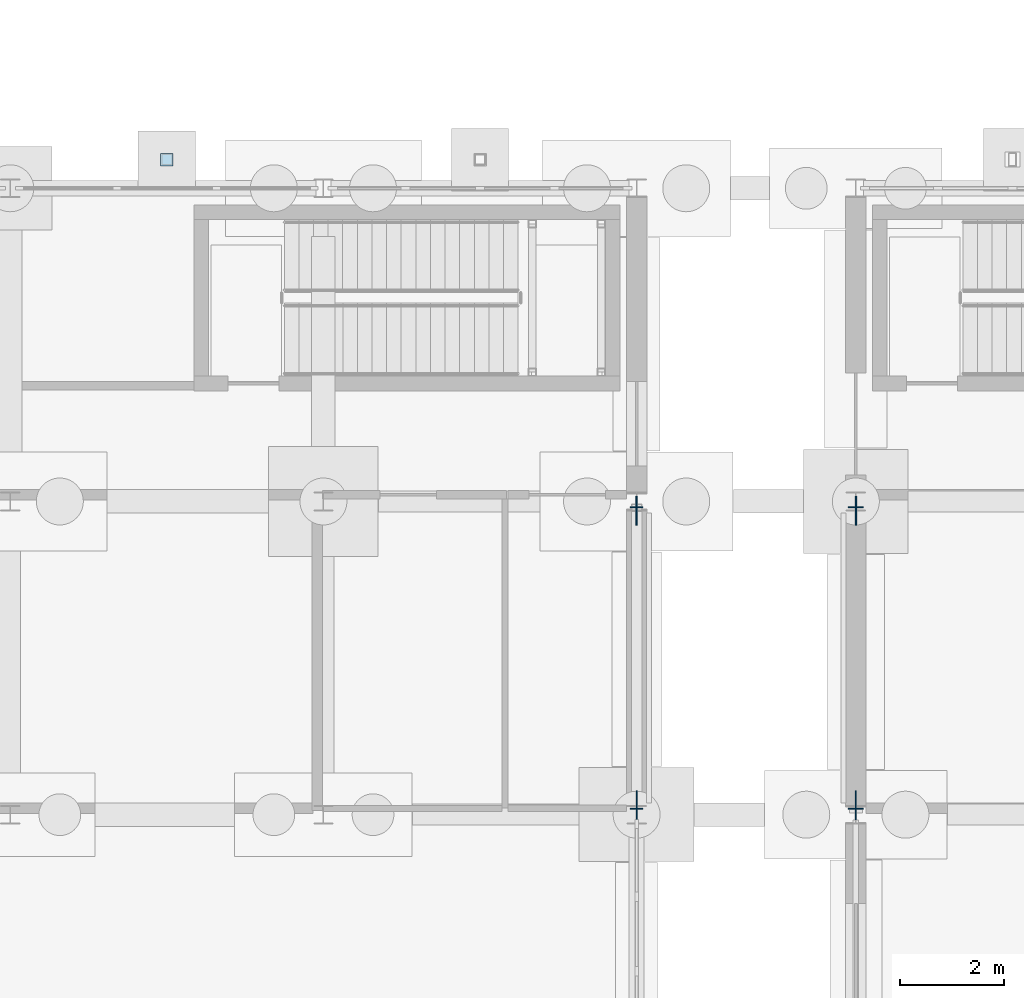
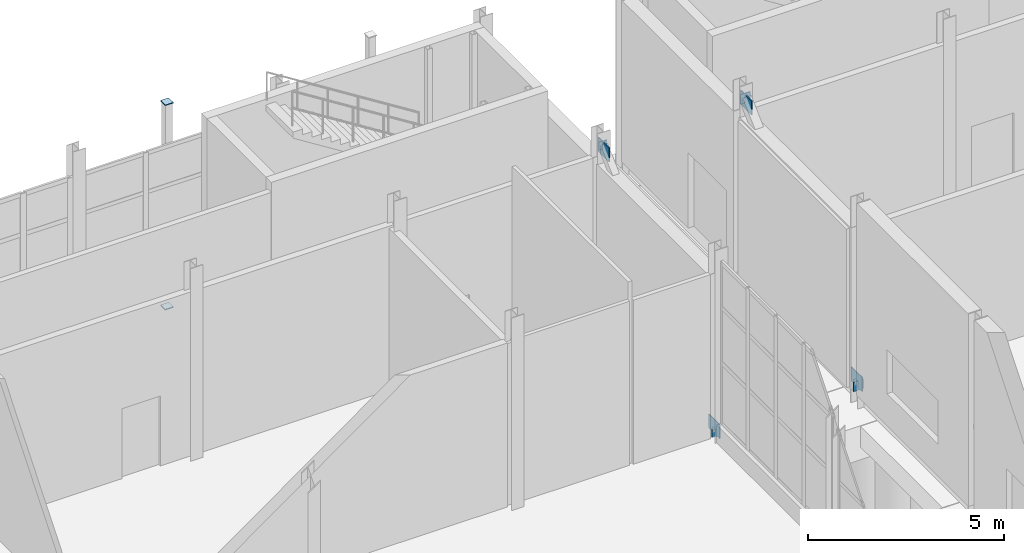
# One storey, part 80 of 120: 10 plates.
"""IFC4 building model written with IfcOpenShell, lengths in metres."""

from ifc_helpers import new_model, si_unit, direction, frame, origin, origin_2d, place, context, subcontext, project, spatial, rectangle, extrude, material, layer, layer_set, type_object, element, save


model = new_model("IFC4")

# Units and contexts
model_context = context("Model", 3, precision=1e-05, world=origin(), true_north=direction((0.0, 1.0)))
body_context = subcontext(model_context, "Body", "Model", "MODEL_VIEW")
ifc_project = project(units=[si_unit("LENGTHUNIT", "METRE"), si_unit("AREAUNIT", "SQUARE_METRE"), si_unit("VOLUMEUNIT", "CUBIC_METRE"), si_unit("PLANEANGLEUNIT", "RADIAN"), si_unit("MASSUNIT", "GRAM", prefix="KILO")], contexts=[model_context])

# Site, building, storey
site_placement = place(None, origin())
site = spatial("IfcSite", under=ifc_project, at=site_placement, CompositionType="ELEMENT")
building_placement = place(site_placement, origin())
building = spatial("IfcBuilding", under=site, at=building_placement, Name="Siltcreek Boulevard Central Fire Station", CompositionType="ELEMENT")
storey_placement = place(building_placement, origin())
storey = spatial("IfcBuildingStorey", under=building, at=storey_placement, Name="L01", CompositionType="ELEMENT", Elevation=0.0)

# Plates
ifc_material = material(Name="Structural steel ASTM A572 Gr50", Category="steel")
ifc_layer_1 = layer(ifc_material, 0.02490234375, Name="Structural steel ASTM A572 Gr50")
ifc_layer_set_1 = layer_set([ifc_layer_1], Name="Structural steel ASTM A572 Gr50")
plate_type_1 = type_object("IfcPlateType", Name="PL_CAP25", PredefinedType="USERDEFINED", material=ifc_layer_set_1)
for number, where, z_axis, x_axis, name in (
    (1, (28.800048828125, 54.550048828125, -0.373046875), (0.0, 0.0, 1.0), (1.0, 0.0, 0.0), "Terracotta pier pilaster column PL-14 sealed end cap 1"),
    (2, (28.800048828125, 54.550048828125, 5.998046875), (0.0, 0.0, 1.0), (1.0, 0.0, 0.0), "Terracotta pier pilaster column PL-14 sealed end cap 2"),
):
    element("IfcPlate", number, at=place(storey_placement, frame(where, z_axis=z_axis, x_axis=x_axis)), inside=storey, type_object=plate_type_1, Name=name, ObjectType="END CAP", PredefinedType="USERDEFINED", context=body_context, shape_type="SweptSolid", body=[
        extrude(rectangle(XDim=0.239990234375, YDim=0.239990234375, at=origin_2d()), origin(), (0.0, 0.0, 1.0), 0.02490234375),
    ])
for number, where, z_axis, x_axis, name in (
    (3, (37.800048828125, 42.1123046875, -0.02734375), (0.0, 0.0, 1.0), (0.0, 1.0, 0.0), "L01 SCBF concentrically braced frame BR-003 sealed end cap 1"),
    (4, (37.800048828125, 47.8876953125, 5.43701171875), (0.0, 0.0, 1.0), (0.0, 1.0, 0.0), "L01 SCBF concentrically braced frame BR-003 sealed end cap 2"),
):
    element("IfcPlate", number, at=place(storey_placement, frame(where, z_axis=z_axis, x_axis=x_axis)), inside=storey, type_object=plate_type_1, Name=name, ObjectType="END CAP", PredefinedType="USERDEFINED", context=body_context, shape_type="SweptSolid", body=[
        extrude(rectangle(XDim=0.02490234375, YDim=0.239990234375, at=origin_2d()), origin(), (0.0, 0.0, 1.0), 0.239990234375),
    ])
for number, where, z_axis, x_axis, name in (
    (5, (42.0, 42.1123046875, -0.05224609375), (0.0, 0.0, 1.0), (0.0, 1.0, 0.0), "L01 SCBF concentrically braced frame BR-005 sealed end cap 1"),
    (6, (42.0, 47.8876953125, 5.412109375), (0.0, 0.0, 1.0), (0.0, 1.0, 0.0), "L01 SCBF concentrically braced frame BR-005 sealed end cap 2"),
):
    element("IfcPlate", number, at=place(storey_placement, frame(where, z_axis=z_axis, x_axis=x_axis)), inside=storey, type_object=plate_type_1, Name=name, ObjectType="END CAP", PredefinedType="USERDEFINED", context=body_context, shape_type="SweptSolid", body=[
        extrude(rectangle(XDim=0.02490234375, YDim=0.2900390625, at=origin_2d()), origin(), (0.0, 0.0, 1.0), 0.2900390625),
    ])
ifc_layer_2 = layer(ifc_material, 0.02197265625, Name="Structural steel ASTM A572 Gr50")
ifc_layer_set_2 = layer_set([ifc_layer_2], Name="Structural steel ASTM A572 Gr50")
plate_type_2 = type_object("IfcPlateType", Name="PL_GUS22", PredefinedType="USERDEFINED", material=ifc_layer_set_2)
for number, where, z_axis, x_axis, name in (
    (7, (37.800048828125, 42.179931640625, 0.030029296875), (0.0, 0.0, 1.0), (0.0, 1.0, 0.0), "Seismic brace bot gusset plate GP-039"),
    (8, (42.0, 42.179931640625, 0.030029296875), (0.0, 0.0, 1.0), (0.0, 1.0, 0.0), "Seismic brace bot gusset plate GP-043"),
):
    element("IfcPlate", number, at=place(storey_placement, frame(where, z_axis=z_axis, x_axis=x_axis)), inside=storey, type_object=plate_type_2, Name=name, ObjectType="GUSSET PLATE", PredefinedType="USERDEFINED", context=body_context, shape_type="SweptSolid", body=[
        extrude(rectangle(XDim=0.56005859375, YDim=0.02197265625, at=origin_2d()), origin(), (0.0, 0.0, 1.0), 0.43994140625),
    ])
ifc_layer_3 = layer(ifc_material, 0.028076171875, Name="Structural steel ASTM A572 Gr50")
ifc_layer_set_3 = layer_set([ifc_layer_3], Name="Structural steel ASTM A572 Gr50")
plate_type_3 = type_object("IfcPlateType", Name="PL_GUS28", PredefinedType="USERDEFINED", material=ifc_layer_set_3)
for number, where, z_axis, x_axis, name in (
    (9, (37.800048828125, 47.820068359375, 5.22998046875), (0.0, 0.0, 1.0), (0.0, 1.0, 0.0), "Seismic brace top gusset plate GP-040"),
    (10, (42.0, 47.820068359375, 5.22998046875), (0.0, 0.0, 1.0), (0.0, 1.0, 0.0), "Seismic brace top gusset plate GP-044"),
):
    element("IfcPlate", number, at=place(storey_placement, frame(where, z_axis=z_axis, x_axis=x_axis)), inside=storey, type_object=plate_type_3, Name=name, ObjectType="GUSSET PLATE", PredefinedType="USERDEFINED", context=body_context, shape_type="SweptSolid", body=[
        extrude(rectangle(XDim=0.56005859375, YDim=0.028076171875, at=origin_2d()), origin(), (0.0, 0.0, 1.0), 0.43994140625),
    ])

save(model, "model.ifc")
